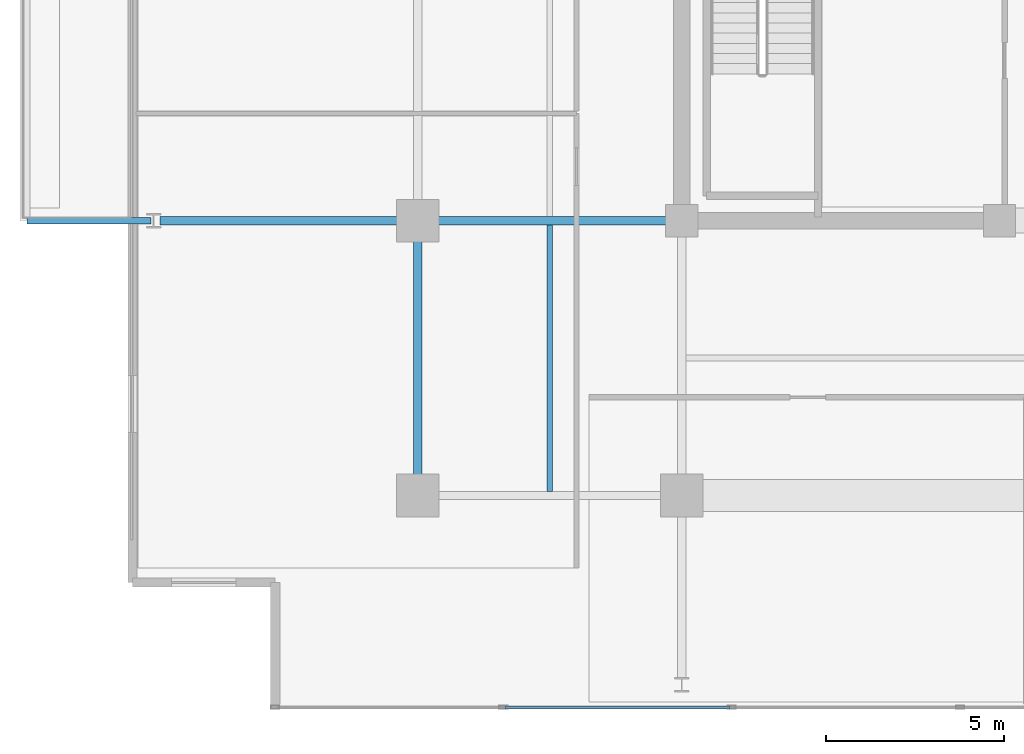
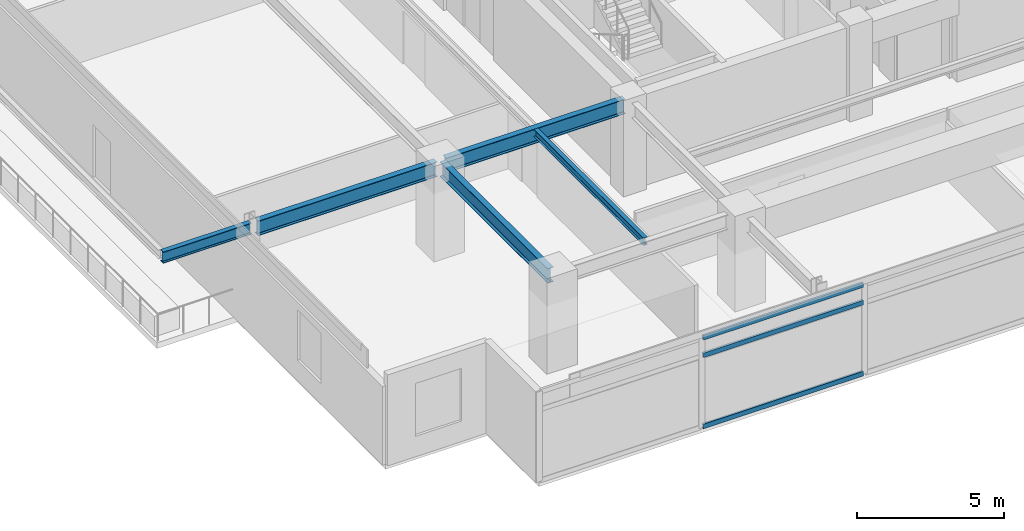
# One storey, part 3 of 18: 5 beams, 3 members, 1 element without a shape of its own.
"""IFC4 building model written with IfcOpenShell, lengths in metres."""

from ifc_helpers import new_model, si_unit, direction, frame, origin, origin_2d, place, context, subcontext, project, spatial, hollow_rectangle, i_section, extrude, material, material_profile, profile_set, type_object, element, aggregate, save


model = new_model("IFC4")

# Units and contexts
model_context = context("Model", 3, precision=1e-05, world=origin(), true_north=direction((0.0, 1.0)))
body_context = subcontext(model_context, "Body", "Model", "MODEL_VIEW")
ifc_project = project(units=[si_unit("LENGTHUNIT", "METRE"), si_unit("AREAUNIT", "SQUARE_METRE"), si_unit("VOLUMEUNIT", "CUBIC_METRE"), si_unit("PLANEANGLEUNIT", "RADIAN"), si_unit("MASSUNIT", "GRAM", prefix="KILO")], contexts=[model_context])

# Site, building, storey
site_placement = place(None, origin())
site = spatial("IfcSite", under=ifc_project, at=site_placement, CompositionType="ELEMENT")
building_placement = place(site_placement, origin())
building = spatial("IfcBuilding", under=site, at=building_placement, Name="Kovane Verandah Tower", CompositionType="ELEMENT")
storey_placement = place(building_placement, frame((0.0, 0.0, 251.199951171875)))
storey = spatial("IfcBuildingStorey", under=building, at=storey_placement, Name="L58", CompositionType="ELEMENT", Elevation=251.199951171875)

# Beams
ifc_material_1 = material(Name="Steel S355", Category="steel")
ifc_material_profile_1 = material_profile(ifc_material_1, i_section(OverallWidth=0.230224609375, OverallDepth=0.6171875, WebThickness=0.01318359375, FlangeThickness=0.022216796875, FilletRadius=0.0126953125, at=origin_2d()), Name="UB610x229x140")
ifc_profile_set_1 = profile_set([ifc_material_profile_1], Name="Steel S355")
beam_type_1 = type_object("IfcBeamType", Name="BM-UB610x140", PredefinedType="BEAM", material=ifc_profile_set_1)
beam_1_placement = place(storey_placement, frame((21.60009765625, 10.97998046875, 3.4765625), z_axis=(0.0, 1.0, 0.0), x_axis=(-1.0, 0.0, 0.0)))
element("IfcBeam", 1, at=beam_1_placement, inside=storey, type_object=beam_type_1, Name="L58 Primary Tower Girder G-RW1", PredefinedType="BEAM", context=body_context, shape_type="SweptSolid", body=[
    extrude(i_section(OverallWidth=0.230224609375, OverallDepth=0.6171875, WebThickness=0.01318359375, FlangeThickness=0.022216796875, FilletRadius=0.0126953125, at=origin_2d()), origin(), (0.0, 0.0, 1.0), 7.340087890625),
])
for number, where, z_axis, x_axis, name in (
    (2, (28.820068359375, 18.5, 3.4765625), (-1.0, 0.0, 0.0), (0.0, -1.0, 0.0), "L58 Primary Tower Girder G-W1"),
    (3, (21.419921875, 18.5, 3.451416015625), (-1.0, 0.0, 0.0), (0.0, -1.0, 0.0), "L58 Primary Tower Girder G-VW1"),
):
    element("IfcBeam", number, at=place(storey_placement, frame(where, z_axis=z_axis, x_axis=x_axis)), inside=storey, type_object=beam_type_1, Name=name, PredefinedType="BEAM", context=body_context, shape_type="SweptSolid", body=[
        extrude(i_section(OverallWidth=0.230224609375, OverallDepth=0.6171875, WebThickness=0.01318359375, FlangeThickness=0.022216796875, FilletRadius=0.0126953125, at=origin_2d()), origin(), (0.0, 0.0, 1.0), 7.0400390625),
    ])

# Curtain wall, members
ifc_material_2 = material(Name="Champagne Anodised Aluminium Frame with Low-E Clear Laminated Glass", Category="aluminium")
curtain_wall_type = type_object("IfcCurtainWallType", Name="CW-SYS-05-HIGH", PredefinedType="NOTDEFINED", material=ifc_material_2)
curtain_wall_placement = place(storey_placement, origin())
curtain_wall = element("IfcCurtainWall", 4, at=curtain_wall_placement, inside=storey, type_object=curtain_wall_type, Name="L58 S Unitised Curtain Wall", PredefinedType="NOTDEFINED")
ifc_material_3 = material(Name="Champagne Anodised Aluminium 6063-T6", Category="aluminium")
ifc_material_profile_2 = material_profile(ifc_material_3, hollow_rectangle(XDim=0.0849609375, YDim=0.18994140625, WallThickness=0.00390625, at=origin_2d()), Name="AL85x190x4")
ifc_profile_set_2 = profile_set([ifc_material_profile_2], Name="Champagne Anodised Aluminium 6063-T6")
member_type = type_object("IfcMemberType", Name="CW-TRN-85x190", PredefinedType="USERDEFINED", material=ifc_profile_set_2)
member_1_placement = place(storey_placement, frame((24.052490234375, 4.8623046875, 0.050048828125), z_axis=(1.0, 0.0, 0.0), x_axis=(0.0, 1.0, 0.0)))
member_1 = element("IfcMember", 5, at=member_1_placement, type_object=member_type, Name="L58 S Unitised Curtain Wall Transom TB Bay 2", ObjectType="TRANSOM", PredefinedType="USERDEFINED", context=body_context, shape_type="SweptSolid", body=[
    extrude(hollow_rectangle(XDim=0.0849609375, YDim=0.18994140625, WallThickness=0.00390625, at=origin_2d()), origin(), (0.0, 0.0, 1.0), 6.299072265625),
])
member_2_placement = place(storey_placement, frame((24.052490234375, 4.8623046875, 3.005126953125), z_axis=(1.0, 0.0, 0.0), x_axis=(0.0, 1.0, 0.0)))
member_2 = element("IfcMember", 6, at=member_2_placement, type_object=member_type, Name="L58 S Unitised Curtain Wall Transom TM Bay 2", ObjectType="TRANSOM", PredefinedType="USERDEFINED", context=body_context, shape_type="SweptSolid", body=[
    extrude(hollow_rectangle(XDim=0.0849609375, YDim=0.18994140625, WallThickness=0.00390625, at=origin_2d()), origin(), (0.0, 0.0, 1.0), 6.299072265625),
])
member_3_placement = place(storey_placement, frame((24.052490234375, 4.8623046875, 3.735107421875), z_axis=(1.0, 0.0, 0.0), x_axis=(0.0, 1.0, 0.0)))
member_3 = element("IfcMember", 7, at=member_3_placement, type_object=member_type, Name="L58 S Unitised Curtain Wall Transom TT Bay 2", ObjectType="TRANSOM", PredefinedType="USERDEFINED", context=body_context, shape_type="SweptSolid", body=[
    extrude(hollow_rectangle(XDim=0.0849609375, YDim=0.18994140625, WallThickness=0.00390625, at=origin_2d()), origin(), (0.0, 0.0, 1.0), 6.299072265625),
])
aggregate(curtain_wall, [member_1, member_2, member_3])

# Beams
ifc_material_profile_3 = material_profile(ifc_material_1, i_section(OverallWidth=0.1669921875, OverallDepth=0.310302734375, WebThickness=0.0078125, FlangeThickness=0.013671875, FilletRadius=0.0087890625, at=origin_2d()), Name="UB305x165x54")
ifc_profile_set_3 = profile_set([ifc_material_profile_3], Name="Steel S355")
beam_type_2 = type_object("IfcBeamType", Name="JST-UB305x54", PredefinedType="JOIST", material=ifc_profile_set_3)
beam_2_placement = place(storey_placement, frame((25.300048828125, 10.9130859375, 3.6298828125), z_axis=(0.0, 1.0, 0.0), x_axis=(-1.0, 0.0, 0.0)))
element("IfcBeam", 8, at=beam_2_placement, inside=storey, type_object=beam_type_2, Name="L58 Secondary Composite Joist J-SW1", PredefinedType="JOIST", context=body_context, shape_type="SweptSolid", body=[
    extrude(i_section(OverallWidth=0.1669921875, OverallDepth=0.310302734375, WebThickness=0.0078125, FlangeThickness=0.013671875, FilletRadius=0.0087890625, at=origin_2d()), origin(), (0.0, 0.0, 1.0), 7.473876953125),
])
ifc_material_profile_4 = material_profile(ifc_material_1, i_section(OverallWidth=0.19287109375, OverallDepth=0.46728515625, WebThickness=0.011474609375, FlangeThickness=0.01953125, FilletRadius=0.01025390625, at=origin_2d()), Name="UB457x191x98")
ifc_profile_set_4 = profile_set([ifc_material_profile_4], Name="Steel S355")
beam_type_3 = type_object("IfcBeamType", Name="JST-UB457x98", PredefinedType="JOIST", material=ifc_profile_set_4)
beam_3_placement = place(storey_placement, frame((14.1201171875, 18.5, 3.5263671875), z_axis=(-1.0, 0.0, 0.0), x_axis=(0.0, -1.0, 0.0)))
element("IfcBeam", 9, at=beam_3_placement, inside=storey, type_object=beam_type_3, Name="L58 West Planter Girder 1", PredefinedType="JOIST", context=body_context, shape_type="SweptSolid", body=[
    extrude(i_section(OverallWidth=0.19287109375, OverallDepth=0.46728515625, WebThickness=0.011474609375, FlangeThickness=0.01953125, FilletRadius=0.01025390625, at=origin_2d()), origin(), (0.0, 0.0, 1.0), 3.46630859375),
])

save(model, "model.ifc")
